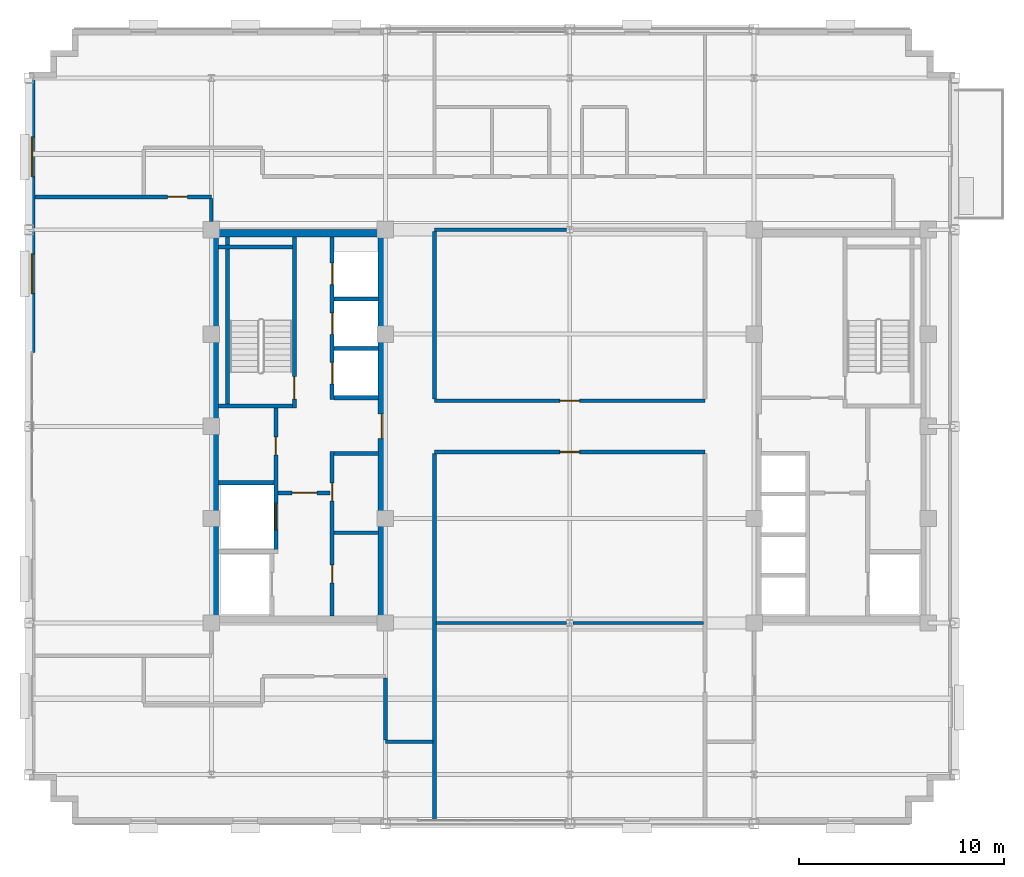
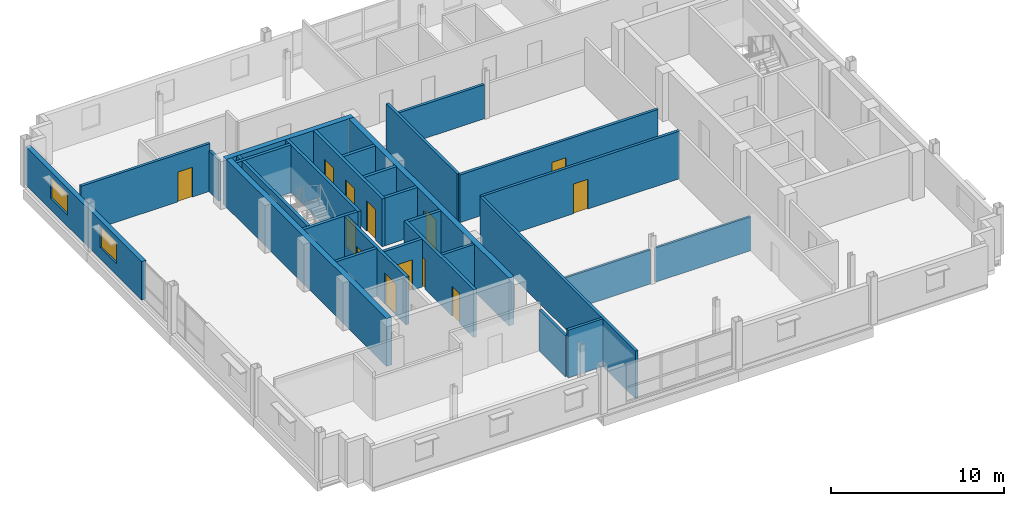
# One storey, part 6 of 16: 29 walls, 13 doors, 2 windows, 15 openings.
"""IFC4 building model written with IfcOpenShell, lengths in metres."""

from ifc_helpers import new_model, si_unit, direction, frame, frame_2d, origin, place, context, subcontext, project, spatial, rectangle, extrude, source, transform, mapped, material, layer, layer_set, type_object, type_shapes, element, fill, save


model = new_model("IFC4")

# Units and contexts
model_context = context("Model", 3, precision=1e-05, world=origin(), true_north=direction((0.0, 1.0)))
body_context = subcontext(model_context, "Body", "Model", "MODEL_VIEW")
ifc_project = project(units=[si_unit("LENGTHUNIT", "METRE"), si_unit("AREAUNIT", "SQUARE_METRE"), si_unit("VOLUMEUNIT", "CUBIC_METRE"), si_unit("PLANEANGLEUNIT", "RADIAN"), si_unit("MASSUNIT", "GRAM", prefix="KILO")], contexts=[model_context])

# Site, building, storey
site_placement = place(None, origin())
site = spatial("IfcSite", under=ifc_project, at=site_placement, CompositionType="ELEMENT")
building_placement = place(site_placement, origin())
building = spatial("IfcBuilding", under=site, at=building_placement, Name="Nuvemarco Arch Tower", CompositionType="ELEMENT")
storey_placement = place(building_placement, frame((0.0, 0.0, 227.39990234375)))
storey = spatial("IfcBuildingStorey", under=building, at=storey_placement, Name="L60", CompositionType="ELEMENT", Elevation=227.39990234375)

# Wall, openings, windows
ifc_material_1 = material(Name="Precast concrete C45/55", Category="concrete")
ifc_layer_1 = layer(ifc_material_1, 0.300048828125, Name="EW-HIGH-300")
ifc_layer_set_1 = layer_set([ifc_layer_1], Name="Precast concrete C45/55")
wall_type_1 = type_object("IfcWallType", Name="EW-HIGH-300", PredefinedType="STANDARD", material=ifc_layer_set_1)
wall_1_placement = place(storey_placement, frame((-26.25, 3.60009765625, 0.0), z_axis=(0.0, 0.0, 1.0), x_axis=(0.0, 1.0, 0.0)))
wall_1 = element("IfcWall", 1, at=wall_1_placement, inside=storey, type_object=wall_type_1, Name="L60 exterior precast pier wall west right", PredefinedType="STANDARD", context=body_context, shape_type="SweptSolid", body=[
    extrude(rectangle(XDim=13.40380859375, YDim=0.300048828125, at=frame_2d((6.701904296875, 0.0))), origin(), (0.0, 0.0, 1.0), 2.705078125),
])
opening_1_placement = place(wall_1_placement, frame((2.8759765625, 0.0, 0.800048828125)))
opening_1 = element("IfcOpeningElement", 2, at=opening_1_placement, cuts=wall_1, Name="Opening WN-7", PredefinedType="OPENING", context=body_context, shape_type="SweptSolid", body=[
    extrude(rectangle(XDim=1.949951171875, YDim=1.47998046875, at=frame_2d((0.97509765625, 0.739990234375))), frame((0.0, 0.159912109375, 0.0), z_axis=(0.0, -1.0, 0.0), x_axis=(1.0, 0.0, 0.0)), (0.0, 0.0, 1.0), 0.320068359375),
])
opening_2_placement = place(wall_1_placement, frame((8.577880859375, 0.0, 0.800048828125)))
opening_2 = element("IfcOpeningElement", 3, at=opening_2_placement, cuts=wall_1, Name="Opening WN-7", PredefinedType="OPENING", context=body_context, shape_type="SweptSolid", body=[
    extrude(rectangle(XDim=1.949951171875, YDim=1.47998046875, at=frame_2d((0.97509765625, 0.739990234375))), frame((0.0, 0.159912109375, 0.0), z_axis=(0.0, -1.0, 0.0), x_axis=(1.0, 0.0, 0.0)), (0.0, 0.0, 1.0), 0.320068359375),
])
ifc_material_2 = material(Name="Insulated solar-control glass", Category="glass")
window_type = type_object("IfcWindowType", Name="WN-HIGH-1950x1480", PartitioningType="DOUBLE_PANEL_VERTICAL", PredefinedType="WINDOW", material=ifc_material_2)
shared_shape_1 = source(origin(), body_context, "Body", "SweptSolid", [
    extrude(rectangle(XDim=1.949951171875, YDim=1.47998046875, at=frame_2d((0.97509765625, 0.739990234375))), frame((0.0, 0.030029296875, 0.0), z_axis=(0.0, -1.0, 0.0), x_axis=(1.0, 0.0, 0.0)), (0.0, 0.0, 1.0), 0.06005859375),
])
type_shapes(window_type, [shared_shape_1])
window_1_placement = place(opening_1_placement, origin())
window_1 = element("IfcWindow", 4, at=window_1_placement, inside=storey, type_object=window_type, Name="L60 punched facade window 1", OverallHeight=1.47998046875, OverallWidth=1.949951171875, PartitioningType="SINGLE_PANEL", PredefinedType="WINDOW", context=body_context, shape_type="MappedRepresentation", body=[
    mapped(shared_shape_1, transform((0.0, 0.0, 0.0), scale=1.0)),
])
fill(opening_1, window_1)
window_2_placement = place(opening_2_placement, origin())
window_2 = element("IfcWindow", 5, at=window_2_placement, inside=storey, type_object=window_type, Name="L60 punched facade window 2", OverallHeight=1.47998046875, OverallWidth=1.949951171875, PartitioningType="SINGLE_PANEL", PredefinedType="WINDOW", context=body_context, shape_type="MappedRepresentation", body=[
    mapped(shared_shape_1, transform((0.0, 0.0, 0.0), scale=1.0)),
])
fill(opening_2, window_2)

# Walls
ifc_material_3 = material(Name="Concrete C50/60", Category="concrete")
ifc_layer_2 = layer(ifc_material_3, 0.35009765625, Name="WL-CORE-350")
ifc_layer_set_2 = layer_set([ifc_layer_2], Name="Concrete C50/60")
wall_type_2 = type_object("IfcWallType", Name="WL-CORE-350", PredefinedType="SHEAR", material=ifc_layer_set_2)
wall_2_placement = place(storey_placement, frame((-17.5, 9.425048828125, 0.0), z_axis=(0.0, 0.0, 1.0), x_axis=(1.0, 0.0, 0.0)))
element("IfcWall", 6, at=wall_2_placement, inside=storey, type_object=wall_type_2, Name="L60 W-core shear wall N", PredefinedType="SHEAR", context=body_context, shape_type="SweptSolid", body=[
    extrude(rectangle(XDim=8.5, YDim=0.35009765625, at=frame_2d((4.25, 0.0))), origin(), (0.0, 0.0, 1.0), 3.3701171875),
])
wall_3_placement = place(storey_placement, frame((-17.324951171875, -9.2548828125, 0.0), z_axis=(0.0, 0.0, 1.0), x_axis=(0.0, 1.0, 0.0)))
element("IfcWall", 7, at=wall_3_placement, inside=storey, type_object=wall_type_2, Name="L60 W-core shear wall W", PredefinedType="SHEAR", context=body_context, shape_type="SweptSolid", body=[
    extrude(rectangle(XDim=18.509765625, YDim=0.35009765625, at=frame_2d((9.2548828125, 0.0))), origin(), (0.0, 0.0, 1.0), 3.3701171875),
])

# Wall, opening, door
wall_4_placement = place(storey_placement, frame((-9.175048828125, -9.2548828125, 0.0), z_axis=(0.0, 0.0, 1.0), x_axis=(0.0, 1.0, 0.0)))
wall_4 = element("IfcWall", 8, at=wall_4_placement, inside=storey, type_object=wall_type_2, Name="L60 W-core shear wall E", PredefinedType="SHEAR", context=body_context, shape_type="SweptSolid", body=[
    extrude(rectangle(XDim=18.509765625, YDim=0.35009765625, at=frame_2d((9.2548828125, 0.0))), origin(), (0.0, 0.0, 1.0), 3.3701171875),
])
opening_3_placement = place(wall_4_placement, frame((8.655029296875, 0.0, 0.0)))
opening_3 = element("IfcOpeningElement", 9, at=opening_3_placement, cuts=wall_4, Name="Opening FD-2", PredefinedType="OPENING", context=body_context, shape_type="SweptSolid", body=[
    extrude(rectangle(XDim=1.199951171875, YDim=2.14990234375, at=frame_2d((0.60009765625, 1.074951171875))), frame((0.0, 0.18505859375, 0.0), z_axis=(0.0, -1.0, 0.0), x_axis=(1.0, 0.0, 0.0)), (0.0, 0.0, 1.0), 0.3701171875),
])
ifc_material_4 = material(Name="Anodised steel fire door", Category="steel")
door_type_1 = type_object("IfcDoorType", Name="DR-FFLOB-FD", OperationType="NOTDEFINED", PredefinedType="DOOR", material=ifc_material_4)
shared_shape_2 = source(origin(), body_context, "Body", "SweptSolid", [
    extrude(rectangle(XDim=1.199951171875, YDim=2.14990234375, at=frame_2d((0.60009765625, 1.074951171875))), frame((0.0, 0.02490234375, 0.0), z_axis=(0.0, -1.0, 0.0), x_axis=(1.0, 0.0, 0.0)), (0.0, 0.0, 1.0), 0.050048828125),
])
type_shapes(door_type_1, [shared_shape_2])
door_1_placement = place(opening_3_placement, origin())
door_1 = element("IfcDoor", 10, at=door_1_placement, inside=storey, type_object=door_type_1, Name="L60 door FD-L60-WCORE-E", OperationType="SINGLE_SWING_LEFT", OverallHeight=2.14990234375, OverallWidth=1.199951171875, PredefinedType="DOOR", context=body_context, shape_type="MappedRepresentation", body=[
    mapped(shared_shape_2, transform((0.0, 0.0, 0.0), scale=1.0)),
])
fill(opening_3, door_1)

# Walls
ifc_material_5 = material(Name="Fire-rated gypsum drywall partition")
ifc_layer_3 = layer(ifc_material_5, 0.179931640625, Name="WL-CORR-180")
ifc_layer_set_3 = layer_set([ifc_layer_3], Name="Fire-rated gypsum drywall partition")
wall_type_3 = type_object("IfcWallType", Name="WL-CORR-180", PredefinedType="PARTITIONING", material=ifc_layer_set_3)
wall_5_placement = place(storey_placement, frame((-11.5048828125, -5.199951171875, 0.0), z_axis=(0.0, 0.0, 1.0), x_axis=(1.0, 0.0, 0.0)))
element("IfcWall", 11, at=wall_5_placement, inside=storey, type_object=wall_type_3, Name="L60 interior wall IW-L60-W-RECK1", PredefinedType="PARTITIONING", context=body_context, shape_type="SweptSolid", body=[
    extrude(rectangle(XDim=2.159912109375, YDim=0.179931640625, at=frame_2d((1.080078125, 0.0))), origin(), (0.0, 0.0, 1.0), 3.360107421875),
])
wall_6_placement = place(storey_placement, frame((-9.0, -15.39990234375, 0.0), z_axis=(0.0, 0.0, 1.0), x_axis=(1.0, 0.0, 0.0)))
element("IfcWall", 12, at=wall_6_placement, inside=storey, type_object=wall_type_3, Name="L60 interior wall IW-L60-001", PredefinedType="PARTITIONING", context=body_context, shape_type="SweptSolid", body=[
    extrude(rectangle(XDim=2.333984375, YDim=0.179931640625, at=frame_2d((1.1669921875, 0.0))), origin(), (0.0, 0.0, 1.0), 3.360107421875),
])

# Wall, opening, door
wall_7_placement = place(storey_placement, frame((-6.60009765625, -1.25, 0.0), z_axis=(0.0, 0.0, 1.0), x_axis=(1.0, 0.0, 0.0)))
wall_7 = element("IfcWall", 13, at=wall_7_placement, inside=storey, type_object=wall_type_3, Name="L60 interior wall IW-L60-008", PredefinedType="PARTITIONING", context=body_context, shape_type="SweptSolid", body=[
    extrude(rectangle(XDim=13.2001953125, YDim=0.179931640625, at=frame_2d((6.60009765625, 0.0))), origin(), (0.0, 0.0, 1.0), 3.360107421875),
])
opening_4_placement = place(wall_7_placement, frame((6.1201171875, 0.0, 0.0)))
opening_4 = element("IfcOpeningElement", 14, at=opening_4_placement, cuts=wall_7, Name="Opening FD-5", PredefinedType="OPENING", context=body_context, shape_type="SweptSolid", body=[
    extrude(rectangle(XDim=0.9599609375, YDim=2.10009765625, at=frame_2d((0.47998046875, 1.050048828125))), frame((0.0, 0.099853515625, 0.0), z_axis=(0.0, -1.0, 0.0), x_axis=(1.0, 0.0, 0.0)), (0.0, 0.0, 1.0), 0.199951171875),
])
ifc_material_6 = material(Name="Timber fire door", Category="wood")
door_type_2 = type_object("IfcDoorType", Name="DR-CORR-FD", OperationType="NOTDEFINED", PredefinedType="DOOR", material=ifc_material_6)
shared_shape_3 = source(origin(), body_context, "Body", "SweptSolid", [
    extrude(rectangle(XDim=0.9599609375, YDim=2.10009765625, at=frame_2d((0.47998046875, 1.050048828125))), frame((0.0, 0.02490234375, 0.0), z_axis=(0.0, -1.0, 0.0), x_axis=(1.0, 0.0, 0.0)), (0.0, 0.0, 1.0), 0.050048828125),
])
type_shapes(door_type_2, [shared_shape_3])
door_2_placement = place(opening_4_placement, origin())
door_2 = element("IfcDoor", 15, at=door_2_placement, inside=storey, type_object=door_type_2, Name="L60 door DR-L60-C_S1", OperationType="SINGLE_SWING_LEFT", OverallHeight=2.10009765625, OverallWidth=0.9599609375, PredefinedType="DOOR", context=body_context, shape_type="MappedRepresentation", body=[
    mapped(shared_shape_3, transform((0.0, 0.0, 0.0), scale=1.0)),
])
fill(opening_4, door_2)

wall_8_placement = place(storey_placement, frame((-6.60009765625, 1.25, 0.0), z_axis=(0.0, 0.0, 1.0), x_axis=(1.0, 0.0, 0.0)))
wall_8 = element("IfcWall", 16, at=wall_8_placement, inside=storey, type_object=wall_type_3, Name="L60 interior wall IW-L60-009", PredefinedType="PARTITIONING", context=body_context, shape_type="SweptSolid", body=[
    extrude(rectangle(XDim=13.2001953125, YDim=0.179931640625, at=frame_2d((6.60009765625, 0.0))), origin(), (0.0, 0.0, 1.0), 3.360107421875),
])
opening_5_placement = place(wall_8_placement, frame((6.1201171875, 0.0, 0.0)))
opening_5 = element("IfcOpeningElement", 17, at=opening_5_placement, cuts=wall_8, Name="Opening FD-5", PredefinedType="OPENING", context=body_context, shape_type="SweptSolid", body=[
    extrude(rectangle(XDim=0.9599609375, YDim=2.10009765625, at=frame_2d((0.47998046875, 1.050048828125))), frame((0.0, 0.099853515625, 0.0), z_axis=(0.0, -1.0, 0.0), x_axis=(1.0, 0.0, 0.0)), (0.0, 0.0, 1.0), 0.199951171875),
])
door_3_placement = place(opening_5_placement, origin())
door_3 = element("IfcDoor", 18, at=door_3_placement, inside=storey, type_object=door_type_2, Name="L60 door DR-L60-C_N1", OperationType="SINGLE_SWING_RIGHT", OverallHeight=2.10009765625, OverallWidth=0.9599609375, PredefinedType="DOOR", context=body_context, shape_type="MappedRepresentation", body=[
    mapped(shared_shape_3, transform((0.0, 0.0, 0.0), scale=1.0)),
])
fill(opening_5, door_3)

# Wall
wall_9_placement = place(storey_placement, frame((-6.60009765625, 9.60009765625, 0.0), z_axis=(0.0, 0.0, 1.0), x_axis=(1.0, 0.0, 0.0)))
element("IfcWall", 19, at=wall_9_placement, inside=storey, type_object=wall_type_3, Name="L60 interior wall IW-L60-010", PredefinedType="PARTITIONING", context=body_context, shape_type="SweptSolid", body=[
    extrude(rectangle(XDim=6.44921875, YDim=0.179931640625, at=frame_2d((3.224609375, 0.0))), origin(), (0.0, 0.0, 1.0), 2.405029296875),
])

# Wall, opening, door
wall_10_placement = place(storey_placement, frame((-26.10009765625, 11.199951171875, 0.0), z_axis=(0.0, 0.0, 1.0), x_axis=(1.0, 0.0, 0.0)))
wall_10 = element("IfcWall", 20, at=wall_10_placement, inside=storey, type_object=wall_type_3, Name="L60 interior wall IW-L60-012", PredefinedType="PARTITIONING", context=body_context, shape_type="SweptSolid", body=[
    extrude(rectangle(XDim=8.60009765625, YDim=0.179931640625, at=frame_2d((4.300048828125, 0.0))), origin(), (0.0, 0.0, 1.0), 3.360107421875),
])
opening_6_placement = place(wall_10_placement, frame((6.469970703125, 0.0, 0.0)))
opening_6 = element("IfcOpeningElement", 21, at=opening_6_placement, cuts=wall_10, Name="Opening FD-5", PredefinedType="OPENING", context=body_context, shape_type="SweptSolid", body=[
    extrude(rectangle(XDim=0.9599609375, YDim=2.10009765625, at=frame_2d((0.47998046875, 1.050048828125))), frame((0.0, 0.099853515625, 0.0), z_axis=(0.0, -1.0, 0.0), x_axis=(1.0, 0.0, 0.0)), (0.0, 0.0, 1.0), 0.199951171875),
])
door_4_placement = place(opening_6_placement, origin())
door_4 = element("IfcDoor", 22, at=door_4_placement, inside=storey, type_object=door_type_2, Name="L60 door DR-L60-W_1", OperationType="SINGLE_SWING_RIGHT", OverallHeight=2.10009765625, OverallWidth=0.9599609375, PredefinedType="DOOR", context=body_context, shape_type="MappedRepresentation", body=[
    mapped(shared_shape_3, transform((0.0, 0.0, 0.0), scale=1.0)),
])
fill(opening_6, door_4)

# Walls
wall_11_placement = place(storey_placement, frame((-17.5, 9.99609375, 0.0), z_axis=(0.0, 0.0, 1.0), x_axis=(0.0, 1.0, 0.0)))
element("IfcWall", 23, at=wall_11_placement, inside=storey, type_object=wall_type_3, Name="L60 interior wall IW-L60-020", PredefinedType="PARTITIONING", context=body_context, shape_type="SweptSolid", body=[
    extrude(rectangle(XDim=1.117919921875, YDim=0.179931640625, at=frame_2d((0.55908203125, 0.0))), origin(), (0.0, 0.0, 1.0), 2.89208984375),
])
wall_12_placement = place(storey_placement, frame((-9.0, -15.31396484375, 0.0), z_axis=(0.0, 0.0, 1.0), x_axis=(0.0, 1.0, 0.0)))
element("IfcWall", 24, at=wall_12_placement, inside=storey, type_object=wall_type_3, Name="L60 interior wall IW-L60-023", PredefinedType="PARTITIONING", context=body_context, shape_type="SweptSolid", body=[
    extrude(rectangle(XDim=3.028076171875, YDim=0.179931640625, at=frame_2d((1.51416015625, 0.0))), origin(), (0.0, 0.0, 1.0), 2.89208984375),
])
wall_13_placement = place(storey_placement, frame((-6.60009765625, -19.235107421875, 0.0), z_axis=(0.0, 0.0, 1.0), x_axis=(0.0, 1.0, 0.0)))
element("IfcWall", 25, at=wall_13_placement, inside=storey, type_object=wall_type_3, Name="L60 interior wall IW-L60-024", PredefinedType="PARTITIONING", context=body_context, shape_type="SweptSolid", body=[
    extrude(rectangle(XDim=17.899169921875, YDim=0.179931640625, at=frame_2d((8.94970703125, 0.0))), origin(), (0.0, 0.0, 1.0), 3.360107421875),
])
wall_14_placement = place(storey_placement, frame((-6.60009765625, 1.3359375, 0.0), z_axis=(0.0, 0.0, 1.0), x_axis=(0.0, 1.0, 0.0)))
element("IfcWall", 26, at=wall_14_placement, inside=storey, type_object=wall_type_3, Name="L60 interior wall IW-L60-025", PredefinedType="PARTITIONING", context=body_context, shape_type="SweptSolid", body=[
    extrude(rectangle(XDim=8.177978515625, YDim=0.179931640625, at=frame_2d((4.0888671875, 0.0))), origin(), (0.0, 0.0, 1.0), 3.360107421875),
])
ifc_material_7 = material(Name="Gypsum plasterboard partition")
ifc_layer_4 = layer(ifc_material_7, 0.139892578125, Name="WL-ROOM-140")
ifc_layer_set_4 = layer_set([ifc_layer_4], Name="Gypsum plasterboard partition")
wall_type_4 = type_object("IfcWallType", Name="WL-ROOM-140", PredefinedType="PARTITIONING", material=ifc_layer_set_4)
for number, where, z_axis, x_axis, name in (
    (27, (-6.533935546875, -9.60009765625, 0.0), (0.0, 0.0, 1.0), (1.0, 0.0, 0.0), "L60 interior wall IW-L60-006"),
    (28, (0.15087890625, -9.60009765625, 0.0), (0.0, 0.0, 1.0), (1.0, 0.0, 0.0), "L60 interior wall IW-L60-007"),
):
    element("IfcWall", number, at=place(storey_placement, frame(where, z_axis=z_axis, x_axis=x_axis)), inside=storey, type_object=wall_type_4, Name=name, PredefinedType="PARTITIONING", context=body_context, shape_type="SweptSolid", body=[
        extrude(rectangle(XDim=6.383056640625, YDim=0.139892578125, at=frame_2d((3.19140625, 0.0))), origin(), (0.0, 0.0, 1.0), 2.405029296875),
    ])

# Wall, opening, door
ifc_layer_5 = layer(ifc_material_3, 0.199951171875, Name="WL-SHAFT-220")
ifc_layer_set_5 = layer_set([ifc_layer_5], Name="Concrete C50/60")
wall_type_5 = type_object("IfcWallType", Name="WL-SHAFT-220", PredefinedType="SHEAR", material=ifc_layer_set_5)
wall_15_placement = place(storey_placement, frame((-13.43994140625, 0.89990234375, 0.0), z_axis=(0.0, 0.0, 1.0), x_axis=(0.0, 1.0, 0.0)))
wall_15 = element("IfcWall", 29, at=wall_15_placement, inside=storey, type_object=wall_type_5, Name="L60 structural shaft wall SW-L60-W-ST1E", PredefinedType="SHEAR", context=body_context, shape_type="SweptSolid", body=[
    extrude(rectangle(XDim=8.35498046875, YDim=0.199951171875, at=frame_2d((4.177490234375, 0.0))), origin(), (0.0, 0.0, 1.0), 3.3701171875),
])
opening_7_placement = place(wall_15_placement, frame((1.530029296875, 0.0, 0.0), z_axis=(0.0, 0.0, 1.0), x_axis=(-1.0, 0.0, 0.0)))
opening_7 = element("IfcOpeningElement", 30, at=opening_7_placement, cuts=wall_15, Name="Opening FD-1", PredefinedType="OPENING", context=body_context, shape_type="SweptSolid", body=[
    extrude(rectangle(XDim=1.10009765625, YDim=2.14990234375, at=frame_2d((0.550048828125, 1.074951171875))), frame((0.0, 0.10986328125, 0.0), z_axis=(0.0, -1.0, 0.0), x_axis=(1.0, 0.0, 0.0)), (0.0, 0.0, 1.0), 0.219970703125),
])
door_type_3 = type_object("IfcDoorType", Name="DR-STAIR-FD", OperationType="NOTDEFINED", PredefinedType="DOOR", material=ifc_material_4)
shared_shape_4 = source(origin(), body_context, "Body", "SweptSolid", [
    extrude(rectangle(XDim=1.10009765625, YDim=2.14990234375, at=frame_2d((0.550048828125, 1.074951171875))), frame((0.0, 0.02490234375, 0.0), z_axis=(0.0, -1.0, 0.0), x_axis=(1.0, 0.0, 0.0)), (0.0, 0.0, 1.0), 0.050048828125),
])
type_shapes(door_type_3, [shared_shape_4])
door_5_placement = place(opening_7_placement, origin())
door_5 = element("IfcDoor", 31, at=door_5_placement, inside=storey, type_object=door_type_3, Name="L60 door FD-L60-ST1", OperationType="SINGLE_SWING_LEFT", OverallHeight=2.14990234375, OverallWidth=1.10009765625, PredefinedType="DOOR", context=body_context, shape_type="MappedRepresentation", body=[
    mapped(shared_shape_4, transform((0.0, 0.0, 0.0), scale=1.0)),
])
fill(opening_7, door_5)

# Walls
for number, where, z_axis, x_axis, name in (
    (32, (-17.155029296875, 1.0, 0.0), (0.0, 0.0, 1.0), (1.0, 0.0, 0.0), "L60 structural shaft wall SW-L60-W-ST1S"),
    (33, (-17.155029296875, 8.75, 0.0), (0.0, 0.0, 1.0), (1.0, 0.0, 0.0), "L60 structural shaft wall SW-L60-W-ST1N"),
):
    element("IfcWall", number, at=place(storey_placement, frame(where, z_axis=z_axis, x_axis=x_axis)), inside=storey, type_object=wall_type_5, Name=name, PredefinedType="SHEAR", context=body_context, shape_type="SweptSolid", body=[
        extrude(rectangle(XDim=3.6201171875, YDim=0.199951171875, at=frame_2d((1.81005859375, 0.0))), origin(), (0.0, 0.0, 1.0), 3.3701171875),
    ])
wall_16_placement = place(storey_placement, frame((-16.699951171875, 1.094970703125, 0.0), z_axis=(0.0, 0.0, 1.0), x_axis=(0.0, 1.0, 0.0)))
element("IfcWall", 34, at=wall_16_placement, inside=storey, type_object=wall_type_5, Name="L60 structural shaft wall SW-L60-W-ST1W", PredefinedType="SHEAR", context=body_context, shape_type="SweptSolid", body=[
    extrude(rectangle(XDim=8.159912109375, YDim=0.199951171875, at=frame_2d((4.080078125, 0.0))), origin(), (0.0, 0.0, 1.0), 3.3701171875),
])

# Wall, openings, doors
wall_17_placement = place(storey_placement, frame((-14.35009765625, -6.199951171875, 0.0), z_axis=(0.0, 0.0, 1.0), x_axis=(0.0, 1.0, 0.0)))
wall_17 = element("IfcWall", 35, at=wall_17_placement, inside=storey, type_object=wall_type_5, Name="L60 structural shaft wall SW-L60-W-SVE", PredefinedType="SHEAR", context=body_context, shape_type="SweptSolid", body=[
    extrude(rectangle(XDim=7.10498046875, YDim=0.199951171875, at=frame_2d((3.552490234375, 0.0))), origin(), (0.0, 0.0, 1.0), 3.3701171875),
])
opening_8_placement = place(wall_17_placement, frame((5.68994140625, 0.0, 0.0), z_axis=(0.0, 0.0, 1.0), x_axis=(-1.0, 0.0, 0.0)))
opening_8 = element("IfcOpeningElement", 36, at=opening_8_placement, cuts=wall_17, Name="Opening FD-4", PredefinedType="OPENING", context=body_context, shape_type="SweptSolid", body=[
    extrude(rectangle(XDim=0.8798828125, YDim=2.10009765625, at=frame_2d((0.43994140625, 1.050048828125))), frame((0.0, 0.10986328125, 0.0), z_axis=(0.0, -1.0, 0.0), x_axis=(1.0, 0.0, 0.0)), (0.0, 0.0, 1.0), 0.219970703125),
])
opening_9_placement = place(wall_17_placement, frame((1.14990234375, 0.0, 0.0)))
opening_9 = element("IfcOpeningElement", 37, at=opening_9_placement, cuts=wall_17, Name="Opening LD-3", PredefinedType="OPENING", context=body_context, shape_type="SweptSolid", body=[
    extrude(rectangle(XDim=1.300048828125, YDim=2.199951171875, at=frame_2d((0.64990234375, 1.10009765625))), frame((0.0, 0.10986328125, 0.0), z_axis=(0.0, -1.0, 0.0), x_axis=(1.0, 0.0, 0.0)), (0.0, 0.0, 1.0), 0.219970703125),
])
door_type_4 = type_object("IfcDoorType", Name="DR-RISER-FD", OperationType="NOTDEFINED", PredefinedType="DOOR", material=ifc_material_4)
shared_shape_5 = source(origin(), body_context, "Body", "SweptSolid", [
    extrude(rectangle(XDim=0.8798828125, YDim=2.10009765625, at=frame_2d((0.43994140625, 1.050048828125))), frame((0.0, 0.02490234375, 0.0), z_axis=(0.0, -1.0, 0.0), x_axis=(1.0, 0.0, 0.0)), (0.0, 0.0, 1.0), 0.050048828125),
])
type_shapes(door_type_4, [shared_shape_5])
door_6_placement = place(opening_8_placement, origin())
door_6 = element("IfcDoor", 38, at=door_6_placement, inside=storey, type_object=door_type_4, Name="L60 door FD-L60-WRIS", OperationType="SINGLE_SWING_LEFT", OverallHeight=2.10009765625, OverallWidth=0.8798828125, PredefinedType="DOOR", context=body_context, shape_type="MappedRepresentation", body=[
    mapped(shared_shape_5, transform((0.0, 0.0, 0.0), scale=1.0)),
])
fill(opening_8, door_6)
ifc_material_8 = material(Name="Stainless steel lift door", Category="steel")
door_type_5 = type_object("IfcDoorType", Name="DR-LIFT-SERV", OperationType="DOUBLE_DOOR_SLIDING", PredefinedType="DOOR", material=ifc_material_8)
shared_shape_6 = source(origin(), body_context, "Body", "SweptSolid", [
    extrude(rectangle(XDim=1.300048828125, YDim=2.199951171875, at=frame_2d((0.64990234375, 1.10009765625))), frame((0.0, 0.02490234375, 0.0), z_axis=(0.0, -1.0, 0.0), x_axis=(1.0, 0.0, 0.0)), (0.0, 0.0, 1.0), 0.050048828125),
])
type_shapes(door_type_5, [shared_shape_6])
door_7_placement = place(opening_9_placement, origin())
door_7 = element("IfcDoor", 39, at=door_7_placement, inside=storey, type_object=door_type_5, Name="L60 Lift landing sliding door SVL-1", OperationType="DOUBLE_DOOR_SLIDING", OverallHeight=2.199951171875, OverallWidth=1.300048828125, PredefinedType="DOOR", context=body_context, shape_type="MappedRepresentation", body=[
    mapped(shared_shape_6, transform((0.0, 0.0, 0.0), scale=1.0)),
])
fill(opening_9, door_7)

# Wall
wall_18_placement = place(storey_placement, frame((-17.155029296875, -2.75, 0.0), z_axis=(0.0, 0.0, 1.0), x_axis=(1.0, 0.0, 0.0)))
element("IfcWall", 40, at=wall_18_placement, inside=storey, type_object=wall_type_5, Name="L60 structural shaft wall SW-L60-W-SH2", PredefinedType="SHEAR", context=body_context, shape_type="SweptSolid", body=[
    extrude(rectangle(XDim=2.7099609375, YDim=0.199951171875, at=frame_2d((1.35498046875, 0.0))), origin(), (0.0, 0.0, 1.0), 3.3701171875),
])

# Wall, openings, doors
wall_19_placement = place(storey_placement, frame((-11.60009765625, -9.2548828125, 0.0), z_axis=(0.0, 0.0, 1.0), x_axis=(0.0, 1.0, 0.0)))
wall_19 = element("IfcWall", 41, at=wall_19_placement, inside=storey, type_object=wall_type_5, Name="L60 structural shaft wall SW-L60-W-PLW", PredefinedType="SHEAR", context=body_context, shape_type="SweptSolid", body=[
    extrude(rectangle(XDim=8.02490234375, YDim=0.199951171875, at=frame_2d((4.012451171875, 0.0))), origin(), (0.0, 0.0, 1.0), 3.3701171875),
])
opening_10_placement = place(wall_19_placement, frame((1.614990234375, 0.0, 0.0)))
opening_10 = element("IfcOpeningElement", 42, at=opening_10_placement, cuts=wall_19, Name="Opening FD-4", PredefinedType="OPENING", context=body_context, shape_type="SweptSolid", body=[
    extrude(rectangle(XDim=0.8798828125, YDim=2.10009765625, at=frame_2d((0.43994140625, 1.050048828125))), frame((0.0, 0.10986328125, 0.0), z_axis=(0.0, -1.0, 0.0), x_axis=(1.0, 0.0, 0.0)), (0.0, 0.0, 1.0), 0.219970703125),
])
opening_11_placement = place(wall_19_placement, frame((5.614990234375, 0.0, 0.0)))
opening_11 = element("IfcOpeningElement", 43, at=opening_11_placement, cuts=wall_19, Name="Opening FD-4", PredefinedType="OPENING", context=body_context, shape_type="SweptSolid", body=[
    extrude(rectangle(XDim=0.8798828125, YDim=2.10009765625, at=frame_2d((0.43994140625, 1.050048828125))), frame((0.0, 0.10986328125, 0.0), z_axis=(0.0, -1.0, 0.0), x_axis=(1.0, 0.0, 0.0)), (0.0, 0.0, 1.0), 0.219970703125),
])
door_8_placement = place(opening_10_placement, origin())
door_8 = element("IfcDoor", 44, at=door_8_placement, inside=storey, type_object=door_type_4, Name="L60 door FD-L60-WREC1", OperationType="SINGLE_SWING_LEFT", OverallHeight=2.10009765625, OverallWidth=0.8798828125, PredefinedType="DOOR", context=body_context, shape_type="MappedRepresentation", body=[
    mapped(shared_shape_5, transform((0.0, 0.0, 0.0), scale=1.0)),
])
fill(opening_10, door_8)
door_9_placement = place(opening_11_placement, origin())
door_9 = element("IfcDoor", 45, at=door_9_placement, inside=storey, type_object=door_type_4, Name="L60 door FD-L60-WREC2", OperationType="SINGLE_SWING_RIGHT", OverallHeight=2.10009765625, OverallWidth=0.8798828125, PredefinedType="DOOR", context=body_context, shape_type="MappedRepresentation", body=[
    mapped(shared_shape_5, transform((0.0, 0.0, 0.0), scale=1.0)),
])
fill(opening_11, door_9)

# Wall, opening, door
wall_20_placement = place(storey_placement, frame((-14.2548828125, -3.25, 0.0), z_axis=(0.0, 0.0, 1.0), x_axis=(1.0, 0.0, 0.0)))
wall_20 = element("IfcWall", 46, at=wall_20_placement, inside=storey, type_object=wall_type_5, Name="L60 structural shaft wall SW-L60-W-FFN", PredefinedType="SHEAR", context=body_context, shape_type="SweptSolid", body=[
    extrude(rectangle(XDim=2.559814453125, YDim=0.199951171875, at=frame_2d((1.27978515625, 0.0))), origin(), (0.0, 0.0, 1.0), 3.3701171875),
])
opening_12_placement = place(wall_20_placement, frame((0.705078125, 0.0, 0.0)))
opening_12 = element("IfcOpeningElement", 47, at=opening_12_placement, cuts=wall_20, Name="Opening FD-2", PredefinedType="OPENING", context=body_context, shape_type="SweptSolid", body=[
    extrude(rectangle(XDim=1.199951171875, YDim=2.14990234375, at=frame_2d((0.60009765625, 1.074951171875))), frame((0.0, 0.10986328125, 0.0), z_axis=(0.0, -1.0, 0.0), x_axis=(1.0, 0.0, 0.0)), (0.0, 0.0, 1.0), 0.219970703125),
])
door_10_placement = place(opening_12_placement, origin())
door_10 = element("IfcDoor", 48, at=door_10_placement, inside=storey, type_object=door_type_1, Name="L60 door FD-L60-WFF1", OperationType="SINGLE_SWING_LEFT", OverallHeight=2.14990234375, OverallWidth=1.199951171875, PredefinedType="DOOR", context=body_context, shape_type="MappedRepresentation", body=[
    mapped(shared_shape_2, transform((0.0, 0.0, 0.0), scale=1.0)),
])
fill(opening_12, door_10)

# Wall
wall_21_placement = place(storey_placement, frame((-11.5048828125, -1.330078125, 0.0), z_axis=(0.0, 0.0, 1.0), x_axis=(1.0, 0.0, 0.0)))
element("IfcWall", 49, at=wall_21_placement, inside=storey, type_object=wall_type_5, Name="L60 structural shaft wall SW-L60-W-PLTOP", PredefinedType="SHEAR", context=body_context, shape_type="SweptSolid", body=[
    extrude(rectangle(XDim=2.159912109375, YDim=0.199951171875, at=frame_2d((1.080078125, 0.0))), origin(), (0.0, 0.0, 1.0), 3.3701171875),
])

# Wall, openings, doors
wall_22_placement = place(storey_placement, frame((-11.60009765625, 1.300048828125, 0.0), z_axis=(0.0, 0.0, 1.0), x_axis=(0.0, 1.0, 0.0)))
wall_22 = element("IfcWall", 50, at=wall_22_placement, inside=storey, type_object=wall_type_5, Name="L60 structural shaft wall SW-L60-W-PHW", PredefinedType="SHEAR", context=body_context, shape_type="SweptSolid", body=[
    extrude(rectangle(XDim=7.954833984375, YDim=0.199951171875, at=frame_2d((3.9775390625, 0.0))), origin(), (0.0, 0.0, 1.0), 3.3701171875),
])
opening_13_placement = place(wall_22_placement, frame((0.77490234375, 0.0, 0.0)))
opening_13 = element("IfcOpeningElement", 51, at=opening_13_placement, cuts=wall_22, Name="Opening LD-1", PredefinedType="OPENING", context=body_context, shape_type="SweptSolid", body=[
    extrude(rectangle(XDim=1.050048828125, YDim=2.14990234375, at=frame_2d((0.52490234375, 1.074951171875))), frame((0.0, 0.10986328125, 0.0), z_axis=(0.0, -1.0, 0.0), x_axis=(1.0, 0.0, 0.0)), (0.0, 0.0, 1.0), 0.219970703125),
])
opening_14_placement = place(wall_22_placement, frame((3.195068359375, 0.0, 0.0)))
opening_14 = element("IfcOpeningElement", 52, at=opening_14_placement, cuts=wall_22, Name="Opening LD-1", PredefinedType="OPENING", context=body_context, shape_type="SweptSolid", body=[
    extrude(rectangle(XDim=1.050048828125, YDim=2.14990234375, at=frame_2d((0.52490234375, 1.074951171875))), frame((0.0, 0.10986328125, 0.0), z_axis=(0.0, -1.0, 0.0), x_axis=(1.0, 0.0, 0.0)), (0.0, 0.0, 1.0), 0.219970703125),
])
opening_15_placement = place(wall_22_placement, frame((5.614990234375, 0.0, 0.0)))
opening_15 = element("IfcOpeningElement", 53, at=opening_15_placement, cuts=wall_22, Name="Opening LD-1", PredefinedType="OPENING", context=body_context, shape_type="SweptSolid", body=[
    extrude(rectangle(XDim=1.050048828125, YDim=2.14990234375, at=frame_2d((0.52490234375, 1.074951171875))), frame((0.0, 0.10986328125, 0.0), z_axis=(0.0, -1.0, 0.0), x_axis=(1.0, 0.0, 0.0)), (0.0, 0.0, 1.0), 0.219970703125),
])
door_type_6 = type_object("IfcDoorType", Name="DR-LIFT-PASS", OperationType="DOUBLE_DOOR_SLIDING", PredefinedType="DOOR", material=ifc_material_8)
shared_shape_7 = source(origin(), body_context, "Body", "SweptSolid", [
    extrude(rectangle(XDim=1.050048828125, YDim=2.14990234375, at=frame_2d((0.52490234375, 1.074951171875))), frame((0.0, 0.02490234375, 0.0), z_axis=(0.0, -1.0, 0.0), x_axis=(1.0, 0.0, 0.0)), (0.0, 0.0, 1.0), 0.050048828125),
])
type_shapes(door_type_6, [shared_shape_7])
door_11_placement = place(opening_13_placement, origin())
door_11 = element("IfcDoor", 54, at=door_11_placement, inside=storey, type_object=door_type_6, Name="L60 Lift landing sliding door PH-1", OperationType="DOUBLE_DOOR_SLIDING", OverallHeight=2.14990234375, OverallWidth=1.050048828125, PredefinedType="DOOR", context=body_context, shape_type="MappedRepresentation", body=[
    mapped(shared_shape_7, transform((0.0, 0.0, 0.0), scale=1.0)),
])
fill(opening_13, door_11)
door_12_placement = place(opening_14_placement, origin())
door_12 = element("IfcDoor", 55, at=door_12_placement, inside=storey, type_object=door_type_6, Name="L60 Lift landing sliding door PH-2", OperationType="DOUBLE_DOOR_SLIDING", OverallHeight=2.14990234375, OverallWidth=1.050048828125, PredefinedType="DOOR", context=body_context, shape_type="MappedRepresentation", body=[
    mapped(shared_shape_7, transform((0.0, 0.0, 0.0), scale=1.0)),
])
fill(opening_14, door_12)
door_13_placement = place(opening_15_placement, origin())
door_13 = element("IfcDoor", 56, at=door_13_placement, inside=storey, type_object=door_type_6, Name="L60 Lift landing sliding door PH-3", OperationType="DOUBLE_DOOR_SLIDING", OverallHeight=2.14990234375, OverallWidth=1.050048828125, PredefinedType="DOOR", context=body_context, shape_type="MappedRepresentation", body=[
    mapped(shared_shape_7, transform((0.0, 0.0, 0.0), scale=1.0)),
])
fill(opening_15, door_13)

# Walls
for number, where, z_axis, x_axis, name in (
    (57, (-11.5048828125, 1.39990234375, 0.0), (0.0, 0.0, 1.0), (1.0, 0.0, 0.0), "L60 structural shaft wall SW-L60-W-PHD1"),
    (58, (-11.5048828125, 3.800048828125, 0.0), (0.0, 0.0, 1.0), (1.0, 0.0, 0.0), "L60 structural shaft wall SW-L60-W-PHD2"),
    (59, (-11.5048828125, 6.219970703125, 0.0), (0.0, 0.0, 1.0), (1.0, 0.0, 0.0), "L60 structural shaft wall SW-L60-W-PHD3"),
):
    element("IfcWall", number, at=place(storey_placement, frame(where, z_axis=z_axis, x_axis=x_axis)), inside=storey, type_object=wall_type_5, Name=name, PredefinedType="SHEAR", context=body_context, shape_type="SweptSolid", body=[
        extrude(rectangle(XDim=2.159912109375, YDim=0.199951171875, at=frame_2d((1.080078125, 0.0))), origin(), (0.0, 0.0, 1.0), 3.3701171875),
    ])

save(model, "model.ifc")
